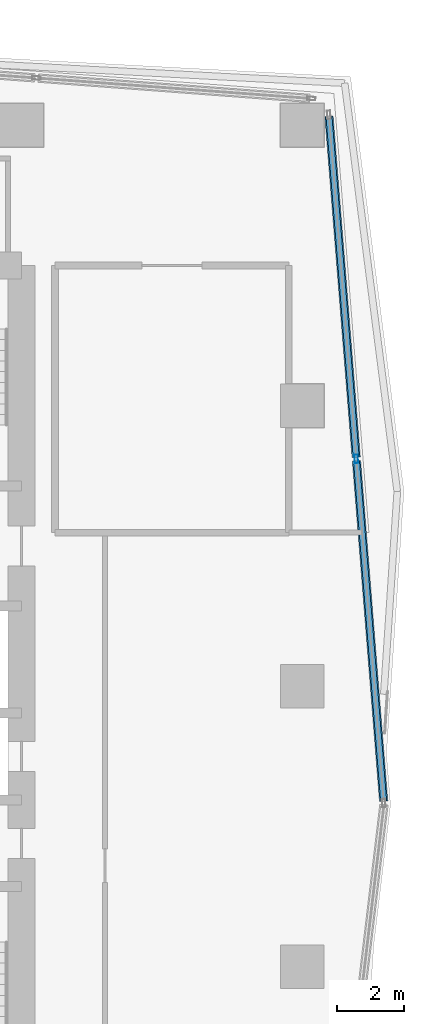
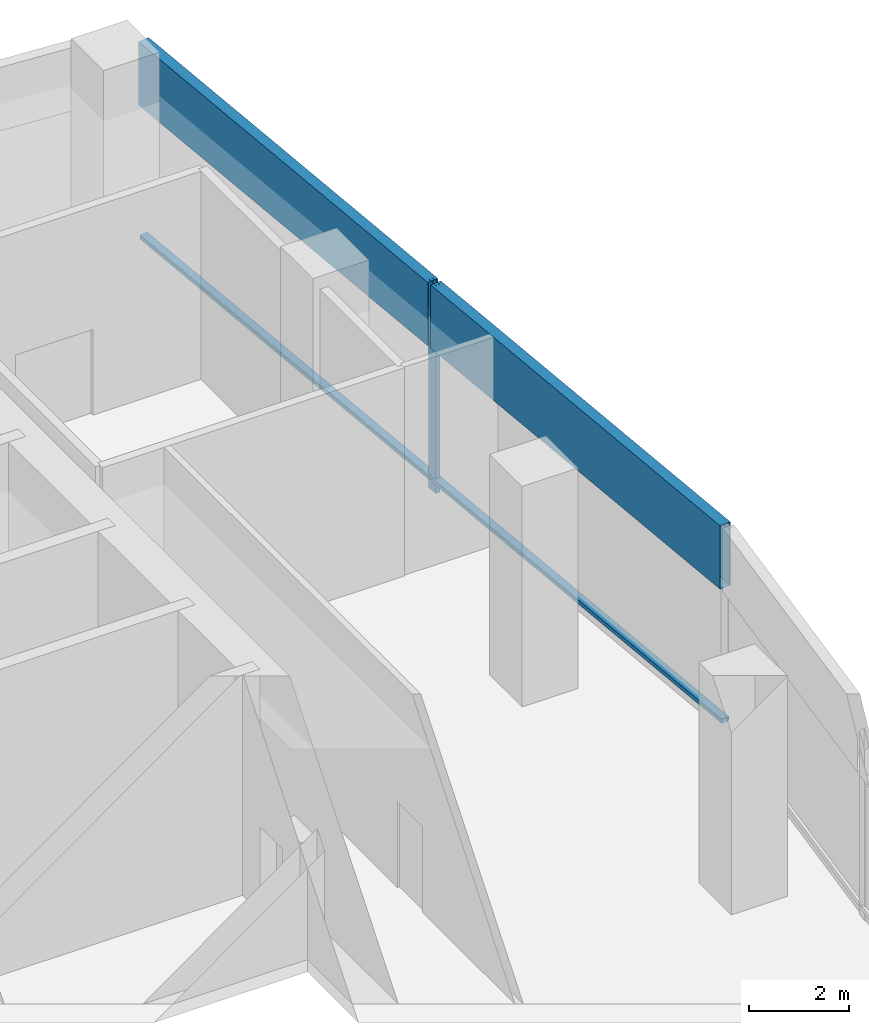
# One storey, part 7 of 22: 5 members, 1 element without a shape of its own.
"""IFC4 building model written with IfcOpenShell, lengths in metres."""

from ifc_helpers import new_model, si_unit, direction, frame, origin, origin_2d, place, context, subcontext, project, spatial, hollow_rectangle, extrude, material, material_profile, profile_set, type_object, element, aggregate, save


model = new_model("IFC4")

# Units and contexts
model_context = context("Model", 3, precision=1e-05, world=origin(), true_north=direction((0.0, 1.0)))
body_context = subcontext(model_context, "Body", "Model", "MODEL_VIEW")
ifc_project = project(units=[si_unit("LENGTHUNIT", "METRE"), si_unit("AREAUNIT", "SQUARE_METRE"), si_unit("VOLUMEUNIT", "CUBIC_METRE"), si_unit("PLANEANGLEUNIT", "RADIAN"), si_unit("MASSUNIT", "GRAM", prefix="KILO")], contexts=[model_context])

# Site, building, storey
site_placement = place(None, origin())
site = spatial("IfcSite", under=ifc_project, at=site_placement, CompositionType="ELEMENT")
building_placement = place(site_placement, origin())
building = spatial("IfcBuilding", under=site, at=building_placement, Name="Rekha Terrace Tower", CompositionType="ELEMENT")
storey_placement = place(building_placement, frame((0.0, 0.0, 291.35009765625)))
storey = spatial("IfcBuildingStorey", under=building, at=storey_placement, Name="L74", CompositionType="ELEMENT", Elevation=291.35009765625)

# Curtain wall, members
ifc_material_1 = material(Name="Aluminium framing", Category="aluminium")
curtain_wall_type = type_object("IfcCurtainWallType", Name="CW6 observation glazing", PredefinedType="USERDEFINED", material=ifc_material_1)
curtain_wall_placement = place(storey_placement, origin())
curtain_wall = element("IfcCurtainWall", 1, at=curtain_wall_placement, inside=storey, type_object=curtain_wall_type, Name="CW6 observation curtain wall", ObjectType="OBSERVATION CURTAIN WALL", PredefinedType="USERDEFINED")
ifc_material_2 = material(Name="Aluminium mullion section", Category="aluminium")
ifc_material_profile_1 = material_profile(ifc_material_2, hollow_rectangle(XDim=0.10009765625, YDim=0.25, WallThickness=0.00390625, at=origin_2d()), Name="AL RHS 100x250")
ifc_profile_set_1 = profile_set([ifc_material_profile_1], Name="Aluminium mullion section")
member_type_1 = type_object("IfcMemberType", Name="CW6 mullion RHS 100 x 250", PredefinedType="MULLION", material=ifc_profile_set_1)
member_1_placement = place(storey_placement, frame((60.422607421875, 40.408935546875, 0.0), z_axis=(0.0, 0.0, 1.0), x_axis=(-0.996830141798, -0.079559213191, 0.0)))
member_1 = element("IfcMember", 2, at=member_1_placement, type_object=member_type_1, Name="CW6 mullion 2", PredefinedType="MULLION", context=body_context, shape_type="SweptSolid", body=[
    extrude(hollow_rectangle(XDim=0.10009765625, YDim=0.25, WallThickness=0.00390625, at=origin_2d()), origin(), (0.0, 0.0, 1.0), 5.099853515625),
])
ifc_material_3 = material(Name="Insulated aluminium spandrel box", Category="aluminium")
ifc_material_profile_2 = material_profile(ifc_material_3, hollow_rectangle(XDim=0.25, YDim=1.550048828125, WallThickness=0.0029296875, at=origin_2d()), Name="AL SPANDREL BOX 250x1550")
ifc_profile_set_2 = profile_set([ifc_material_profile_2], Name="Insulated aluminium spandrel box")
member_type_2 = type_object("IfcMemberType", Name="CW6 spandrel transom 250 x 1550", PredefinedType="USERDEFINED", material=ifc_profile_set_2)
member_2_placement = place(storey_placement, frame((61.2412109375, 30.153564453125, 4.324951171875), z_axis=(-0.079575566416, 0.996828836476, 0.0), x_axis=(-0.996828836476, -0.079575566416, 0.0)))
member_2 = element("IfcMember", 3, at=member_2_placement, type_object=member_type_2, Name="CW6 spandrel transom 1", ObjectType="TRANSOM", PredefinedType="USERDEFINED", context=body_context, shape_type="SweptSolid", body=[
    extrude(hollow_rectangle(XDim=0.25, YDim=1.550048828125, WallThickness=0.0029296875, at=origin_2d()), origin(), (0.0, 0.0, 1.0), 10.238037109375),
])
member_3_placement = place(storey_placement, frame((60.418701171875, 40.458740234375, 4.324951171875), z_axis=(-0.079575566416, 0.996828836476, 0.0), x_axis=(-0.996828836476, -0.079575566416, 0.0)))
member_3 = element("IfcMember", 4, at=member_3_placement, type_object=member_type_2, Name="CW6 spandrel transom 2", ObjectType="TRANSOM", PredefinedType="USERDEFINED", context=body_context, shape_type="SweptSolid", body=[
    extrude(hollow_rectangle(XDim=0.25, YDim=1.550048828125, WallThickness=0.0029296875, at=origin_2d()), origin(), (0.0, 0.0, 1.0), 10.238037109375),
])
ifc_material_4 = material(Name="Aluminium transom section", Category="aluminium")
ifc_material_profile_3 = material_profile(ifc_material_4, hollow_rectangle(XDim=0.179931640625, YDim=0.10009765625, WallThickness=0.0029296875, at=origin_2d()), Name="AL RHS 180x100")
ifc_profile_set_3 = profile_set([ifc_material_profile_3], Name="Aluminium transom section")
member_type_3 = type_object("IfcMemberType", Name="CW6 transom RHS 100 x 180", PredefinedType="USERDEFINED", material=ifc_profile_set_3)
member_4_placement = place(storey_placement, frame((61.2412109375, 30.153564453125, 0.2998046875), z_axis=(-0.079575566416, 0.996828836476, 0.0), x_axis=(-0.996828836476, -0.079575566416, 0.0)))
member_4 = element("IfcMember", 5, at=member_4_placement, type_object=member_type_3, Name="CW6 transom 1.2", ObjectType="TRANSOM", PredefinedType="USERDEFINED", context=body_context, shape_type="SweptSolid", body=[
    extrude(hollow_rectangle(XDim=0.179931640625, YDim=0.10009765625, WallThickness=0.0029296875, at=origin_2d()), origin(), (0.0, 0.0, 1.0), 10.238037109375),
])
member_5_placement = place(storey_placement, frame((60.418701171875, 40.458740234375, 0.2998046875), z_axis=(-0.079575566416, 0.996828836476, 0.0), x_axis=(-0.996828836476, -0.079575566416, 0.0)))
member_5 = element("IfcMember", 6, at=member_5_placement, type_object=member_type_3, Name="CW6 transom 2.2", ObjectType="TRANSOM", PredefinedType="USERDEFINED", context=body_context, shape_type="SweptSolid", body=[
    extrude(hollow_rectangle(XDim=0.179931640625, YDim=0.10009765625, WallThickness=0.0029296875, at=origin_2d()), origin(), (0.0, 0.0, 1.0), 10.238037109375),
])
aggregate(curtain_wall, [member_1, member_4, member_2, member_5, member_3])

save(model, "model.ifc")
